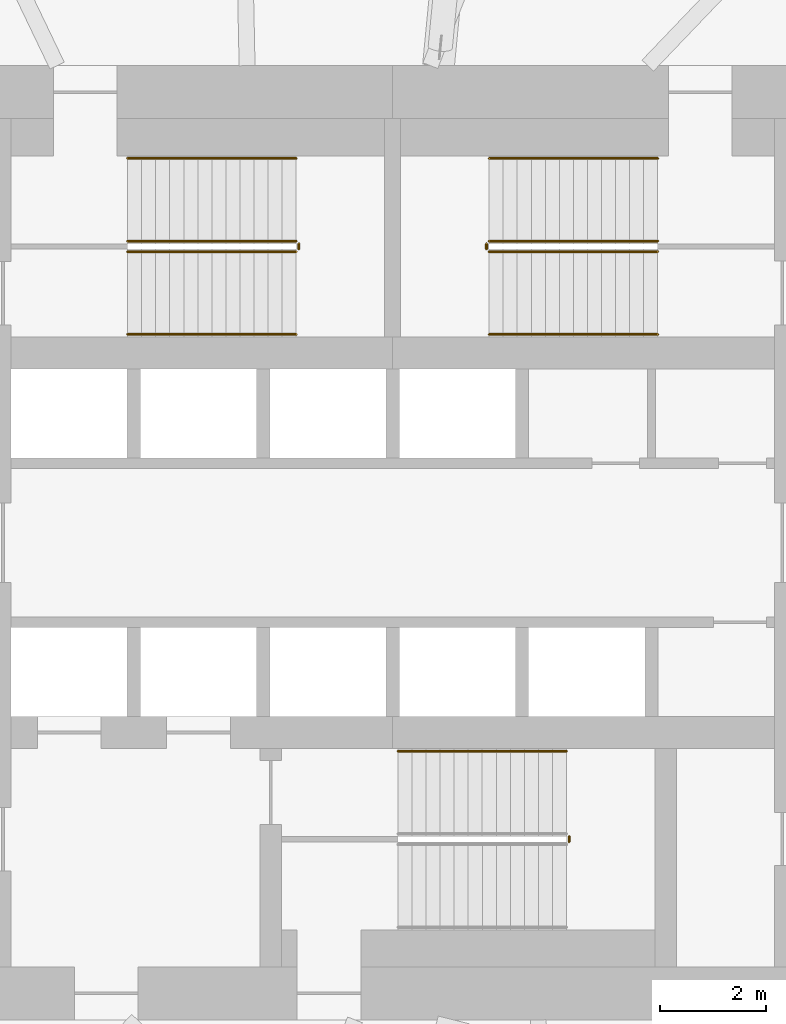
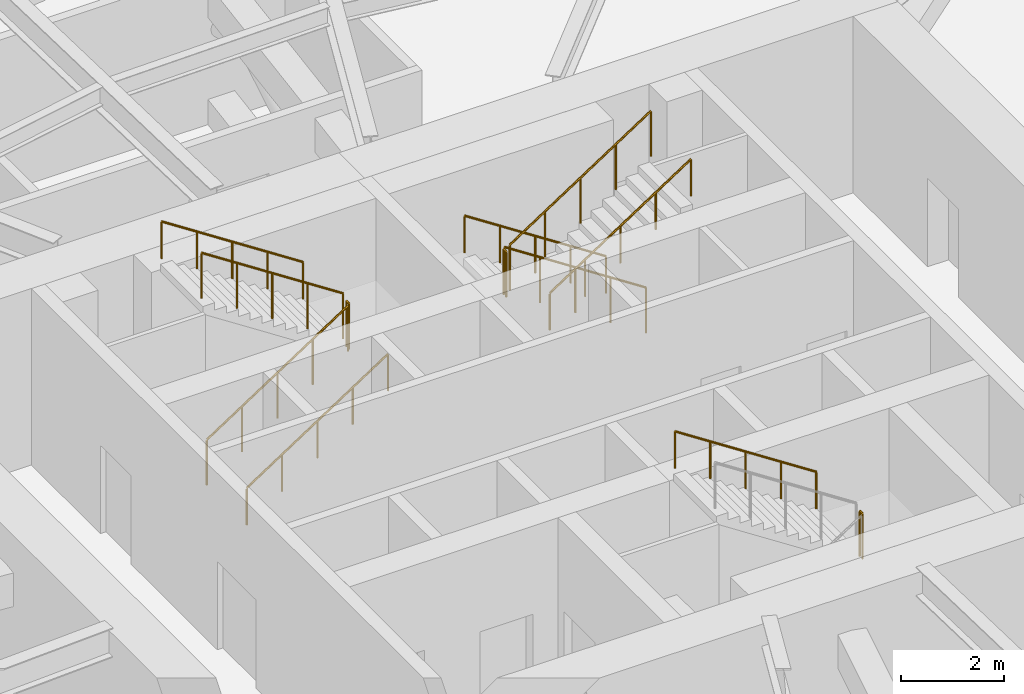
# One storey, part 14 of 15: 12 railings.
"""IFC4 building model written with IfcOpenShell, lengths in metres."""

from ifc_helpers import new_model, si_unit, direction, frame, origin, origin_2d, place, context, subcontext, project, spatial, circle, extrude, material, type_object, element, save


model = new_model("IFC4")

# Units and contexts
model_context = context("Model", 3, precision=1e-05, world=origin(), true_north=direction((0.0, 1.0)))
body_context = subcontext(model_context, "Body", "Model", "MODEL_VIEW")
ifc_project = project(units=[si_unit("LENGTHUNIT", "METRE"), si_unit("AREAUNIT", "SQUARE_METRE"), si_unit("VOLUMEUNIT", "CUBIC_METRE"), si_unit("PLANEANGLEUNIT", "RADIAN"), si_unit("MASSUNIT", "GRAM", prefix="KILO")], contexts=[model_context])

# Site, building, storey
site_placement = place(None, origin())
site = spatial("IfcSite", under=ifc_project, at=site_placement, CompositionType="ELEMENT")
building_placement = place(site_placement, origin())
building = spatial("IfcBuilding", under=site, at=building_placement, Name="Vermilion Reach Broadcast Tower", CompositionType="ELEMENT")
storey_placement = place(building_placement, frame((0.0, 0.0, 84.10009765625)))
storey = spatial("IfcBuildingStorey", under=building, at=storey_placement, Name="L18", CompositionType="ELEMENT", Elevation=84.10009765625)

# Railings
ifc_material_1 = material(Name="Stainless steel", Category="steel")
railing_type_1 = type_object("IfcRailingType", Name="Stair guard 1100", PredefinedType="GUARDRAIL", material=ifc_material_1)
railing_1_placement = place(storey_placement, frame((-11.0, 5.489990234375, 0.173095703125)))
element("IfcRailing", 1, at=railing_1_placement, inside=storey, type_object=railing_type_1, Name="L18 ST1 stair guard 1", PredefinedType="GUARDRAIL", context=body_context, shape_type="SweptSolid", body=[
    extrude(circle(Radius=0.02392578125, at=origin_2d()), frame((0.0, 0.0, 1.076171875), z_axis=(0.837244679093, 0.0, 0.546828444149), x_axis=(0.0, 1.0, 0.0)), (0.0, 0.0, 1.0), 3.798095703125),
    extrude(circle(Radius=0.02099609375, at=origin_2d()), origin(), (0.0, 0.0, 1.0), 1.052001953125),
    extrude(circle(Radius=0.02099609375, at=origin_2d()), frame((0.794921875, 0.0, 0.519287109375)), (0.0, 0.0, 1.0), 1.052001953125),
    extrude(circle(Radius=0.02099609375, at=origin_2d()), frame((1.58984375, 0.0, 1.03857421875)), (0.0, 0.0, 1.0), 1.052001953125),
    extrude(circle(Radius=0.02099609375, at=origin_2d()), frame((2.385009765625, 0.0, 1.5576171875)), (0.0, 0.0, 1.0), 1.052001953125),
    extrude(circle(Radius=0.02099609375, at=origin_2d()), frame((3.179931640625, 0.0, 2.076904296875)), (0.0, 0.0, 1.0), 1.052001953125),
])
railing_2_placement = place(storey_placement, frame((-7.77001953125, 5.5400390625, 2.25)))
element("IfcRailing", 2, at=railing_2_placement, inside=storey, type_object=railing_type_1, Name="L18 ST1 stair guard 2", PredefinedType="GUARDRAIL", context=body_context, shape_type="SweptSolid", body=[
    extrude(circle(Radius=0.02392578125, at=origin_2d()), frame((0.0, 0.0, 1.076171875), z_axis=(0.0, 1.0, 0.0), x_axis=(-1.0, 0.0, 0.0)), (0.0, 0.0, 1.0), 0.099853515625),
    extrude(circle(Radius=0.02099609375, at=origin_2d()), origin(), (0.0, 0.0, 1.0), 1.052001953125),
    extrude(circle(Radius=0.02099609375, at=origin_2d()), frame((0.0, 0.099853515625, 0.0)), (0.0, 0.0, 1.0), 1.052001953125),
])
for number, where, name in (
    (3, (-7.820068359375, 5.68994140625, 2.423095703125), "L18 ST1 stair guard 3"),
    (4, (-1.0, 5.68994140625, 0.173095703125), "L18 ST2 stair guard 1"),
):
    element("IfcRailing", number, at=place(storey_placement, frame(where)), inside=storey, type_object=railing_type_1, Name=name, PredefinedType="GUARDRAIL", context=body_context, shape_type="SweptSolid", body=[
        extrude(circle(Radius=0.02392578125, at=origin_2d()), frame((0.0, 0.0, 1.076171875), z_axis=(-0.837244679093, 0.0, 0.546828444149), x_axis=(0.0, -1.0, 0.0)), (0.0, 0.0, 1.0), 3.798095703125),
        extrude(circle(Radius=0.02099609375, at=origin_2d()), origin(), (0.0, 0.0, 1.0), 1.052001953125),
        extrude(circle(Radius=0.02099609375, at=origin_2d()), frame((-0.794921875, 0.0, 0.519287109375)), (0.0, 0.0, 1.0), 1.052001953125),
        extrude(circle(Radius=0.02099609375, at=origin_2d()), frame((-1.58984375, 0.0, 1.03857421875)), (0.0, 0.0, 1.0), 1.052001953125),
        extrude(circle(Radius=0.02099609375, at=origin_2d()), frame((-2.385009765625, 0.0, 1.5576171875)), (0.0, 0.0, 1.0), 1.052001953125),
        extrude(circle(Radius=0.02099609375, at=origin_2d()), frame((-3.179931640625, 0.0, 2.076904296875)), (0.0, 0.0, 1.0), 1.052001953125),
    ])
railing_3_placement = place(storey_placement, frame((-4.22998046875, 5.639892578125, 2.25)))
element("IfcRailing", 5, at=railing_3_placement, inside=storey, type_object=railing_type_1, Name="L18 ST2 stair guard 2", PredefinedType="GUARDRAIL", context=body_context, shape_type="SweptSolid", body=[
    extrude(circle(Radius=0.02392578125, at=origin_2d()), frame((0.0, 0.0, 1.076171875), z_axis=(0.0, -1.0, 0.0), x_axis=(1.0, 0.0, 0.0)), (0.0, 0.0, 1.0), 0.099853515625),
    extrude(circle(Radius=0.02099609375, at=origin_2d()), origin(), (0.0, 0.0, 1.0), 1.052001953125),
    extrude(circle(Radius=0.02099609375, at=origin_2d()), frame((0.0, -0.099853515625, 0.0)), (0.0, 0.0, 1.0), 1.052001953125),
])
railing_4_placement = place(storey_placement, frame((-4.179931640625, 5.489990234375, 2.423095703125)))
element("IfcRailing", 6, at=railing_4_placement, inside=storey, type_object=railing_type_1, Name="L18 ST2 stair guard 3", PredefinedType="GUARDRAIL", context=body_context, shape_type="SweptSolid", body=[
    extrude(circle(Radius=0.02392578125, at=origin_2d()), frame((0.0, 0.0, 1.076171875), z_axis=(0.837244679093, 0.0, 0.546828444149), x_axis=(0.0, 1.0, 0.0)), (0.0, 0.0, 1.0), 3.798095703125),
    extrude(circle(Radius=0.02099609375, at=origin_2d()), origin(), (0.0, 0.0, 1.0), 1.052001953125),
    extrude(circle(Radius=0.02099609375, at=origin_2d()), frame((0.794921875, 0.0, 0.519287109375)), (0.0, 0.0, 1.0), 1.052001953125),
    extrude(circle(Radius=0.02099609375, at=origin_2d()), frame((1.58984375, 0.0, 1.03857421875)), (0.0, 0.0, 1.0), 1.052001953125),
    extrude(circle(Radius=0.02099609375, at=origin_2d()), frame((2.385009765625, 0.0, 1.5576171875)), (0.0, 0.0, 1.0), 1.052001953125),
    extrude(circle(Radius=0.02099609375, at=origin_2d()), frame((3.179931640625, 0.0, 2.076904296875)), (0.0, 0.0, 1.0), 1.052001953125),
])
railing_5_placement = place(storey_placement, frame((-2.669921875, -5.639892578125, 2.25)))
element("IfcRailing", 7, at=railing_5_placement, inside=storey, type_object=railing_type_1, Name="L18 ST3 stair guard 2", PredefinedType="GUARDRAIL", context=body_context, shape_type="SweptSolid", body=[
    extrude(circle(Radius=0.02392578125, at=origin_2d()), frame((0.0, 0.0, 1.076171875), z_axis=(0.0, 1.0, 0.0), x_axis=(-1.0, 0.0, 0.0)), (0.0, 0.0, 1.0), 0.099853515625),
    extrude(circle(Radius=0.02099609375, at=origin_2d()), origin(), (0.0, 0.0, 1.0), 1.052001953125),
    extrude(circle(Radius=0.02099609375, at=origin_2d()), frame((0.0, 0.099853515625, 0.0)), (0.0, 0.0, 1.0), 1.052001953125),
])
ifc_material_2 = material(Name="Stainless steel", Category="steel")
railing_type_2 = type_object("IfcRailingType", Name="Stair handrail", PredefinedType="HANDRAIL", material=ifc_material_2)
railing_6_placement = place(storey_placement, frame((-11.0, 3.929931640625, 0.173095703125)))
element("IfcRailing", 8, at=railing_6_placement, inside=storey, type_object=railing_type_2, Name="L18 ST1 stair handrail 1", PredefinedType="HANDRAIL", context=body_context, shape_type="SweptSolid", body=[
    extrude(circle(Radius=0.02392578125, at=origin_2d()), frame((0.0, 0.0, 0.8759765625), z_axis=(0.837244679093, 0.0, 0.546828444149), x_axis=(0.0, 1.0, 0.0)), (0.0, 0.0, 1.0), 3.798095703125),
    extrude(circle(Radius=0.02099609375, at=origin_2d()), origin(), (0.0, 0.0, 1.0), 0.851806640625),
    extrude(circle(Radius=0.02099609375, at=origin_2d()), frame((0.794921875, 0.0, 0.519287109375)), (0.0, 0.0, 1.0), 0.851806640625),
    extrude(circle(Radius=0.02099609375, at=origin_2d()), frame((1.58984375, 0.0, 1.03857421875)), (0.0, 0.0, 1.0), 0.851806640625),
    extrude(circle(Radius=0.02099609375, at=origin_2d()), frame((2.385009765625, 0.0, 1.5576171875)), (0.0, 0.0, 1.0), 0.851806640625),
    extrude(circle(Radius=0.02099609375, at=origin_2d()), frame((3.179931640625, 0.0, 2.076904296875)), (0.0, 0.0, 1.0), 0.851806640625),
])
for number, where, name in (
    (9, (-7.820068359375, 7.25, 2.423095703125), "L18 ST1 stair handrail 2"),
    (10, (-1.0, 7.25, 0.173095703125), "L18 ST2 stair handrail 1"),
):
    element("IfcRailing", number, at=place(storey_placement, frame(where)), inside=storey, type_object=railing_type_2, Name=name, PredefinedType="HANDRAIL", context=body_context, shape_type="SweptSolid", body=[
        extrude(circle(Radius=0.02392578125, at=origin_2d()), frame((0.0, 0.0, 0.8759765625), z_axis=(-0.837244679093, 0.0, 0.546828444149), x_axis=(0.0, -1.0, 0.0)), (0.0, 0.0, 1.0), 3.798095703125),
        extrude(circle(Radius=0.02099609375, at=origin_2d()), origin(), (0.0, 0.0, 1.0), 0.851806640625),
        extrude(circle(Radius=0.02099609375, at=origin_2d()), frame((-0.794921875, 0.0, 0.519287109375)), (0.0, 0.0, 1.0), 0.851806640625),
        extrude(circle(Radius=0.02099609375, at=origin_2d()), frame((-1.58984375, 0.0, 1.03857421875)), (0.0, 0.0, 1.0), 0.851806640625),
        extrude(circle(Radius=0.02099609375, at=origin_2d()), frame((-2.385009765625, 0.0, 1.5576171875)), (0.0, 0.0, 1.0), 0.851806640625),
        extrude(circle(Radius=0.02099609375, at=origin_2d()), frame((-3.179931640625, 0.0, 2.076904296875)), (0.0, 0.0, 1.0), 0.851806640625),
    ])
railing_7_placement = place(storey_placement, frame((-4.179931640625, 3.929931640625, 2.423095703125)))
element("IfcRailing", 11, at=railing_7_placement, inside=storey, type_object=railing_type_2, Name="L18 ST2 stair handrail 2", PredefinedType="HANDRAIL", context=body_context, shape_type="SweptSolid", body=[
    extrude(circle(Radius=0.02392578125, at=origin_2d()), frame((0.0, 0.0, 0.8759765625), z_axis=(0.837244679093, 0.0, 0.546828444149), x_axis=(0.0, 1.0, 0.0)), (0.0, 0.0, 1.0), 3.798095703125),
    extrude(circle(Radius=0.02099609375, at=origin_2d()), origin(), (0.0, 0.0, 1.0), 0.851806640625),
    extrude(circle(Radius=0.02099609375, at=origin_2d()), frame((0.794921875, 0.0, 0.519287109375)), (0.0, 0.0, 1.0), 0.851806640625),
    extrude(circle(Radius=0.02099609375, at=origin_2d()), frame((1.58984375, 0.0, 1.03857421875)), (0.0, 0.0, 1.0), 0.851806640625),
    extrude(circle(Radius=0.02099609375, at=origin_2d()), frame((2.385009765625, 0.0, 1.5576171875)), (0.0, 0.0, 1.0), 0.851806640625),
    extrude(circle(Radius=0.02099609375, at=origin_2d()), frame((3.179931640625, 0.0, 2.076904296875)), (0.0, 0.0, 1.0), 0.851806640625),
])
railing_8_placement = place(storey_placement, frame((-2.719970703125, -3.929931640625, 2.423095703125)))
element("IfcRailing", 12, at=railing_8_placement, inside=storey, type_object=railing_type_2, Name="L18 ST3 stair handrail 2", PredefinedType="HANDRAIL", context=body_context, shape_type="SweptSolid", body=[
    extrude(circle(Radius=0.02392578125, at=origin_2d()), frame((0.0, 0.0, 0.8759765625), z_axis=(-0.837244679093, 0.0, 0.546828444149), x_axis=(0.0, -1.0, 0.0)), (0.0, 0.0, 1.0), 3.798095703125),
    extrude(circle(Radius=0.02099609375, at=origin_2d()), origin(), (0.0, 0.0, 1.0), 0.851806640625),
    extrude(circle(Radius=0.02099609375, at=origin_2d()), frame((-0.794921875, 0.0, 0.519287109375)), (0.0, 0.0, 1.0), 0.851806640625),
    extrude(circle(Radius=0.02099609375, at=origin_2d()), frame((-1.58984375, 0.0, 1.03857421875)), (0.0, 0.0, 1.0), 0.851806640625),
    extrude(circle(Radius=0.02099609375, at=origin_2d()), frame((-2.385009765625, 0.0, 1.5576171875)), (0.0, 0.0, 1.0), 0.851806640625),
    extrude(circle(Radius=0.02099609375, at=origin_2d()), frame((-3.179931640625, 0.0, 2.076904296875)), (0.0, 0.0, 1.0), 0.851806640625),
])

save(model, "model.ifc")
